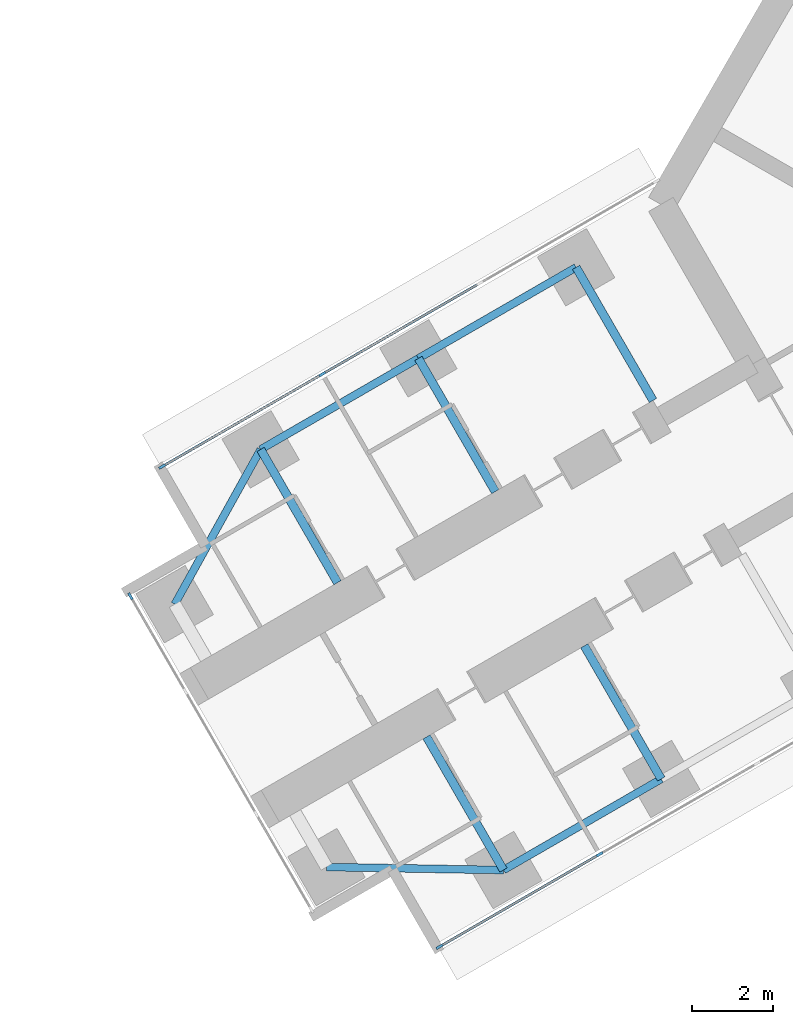
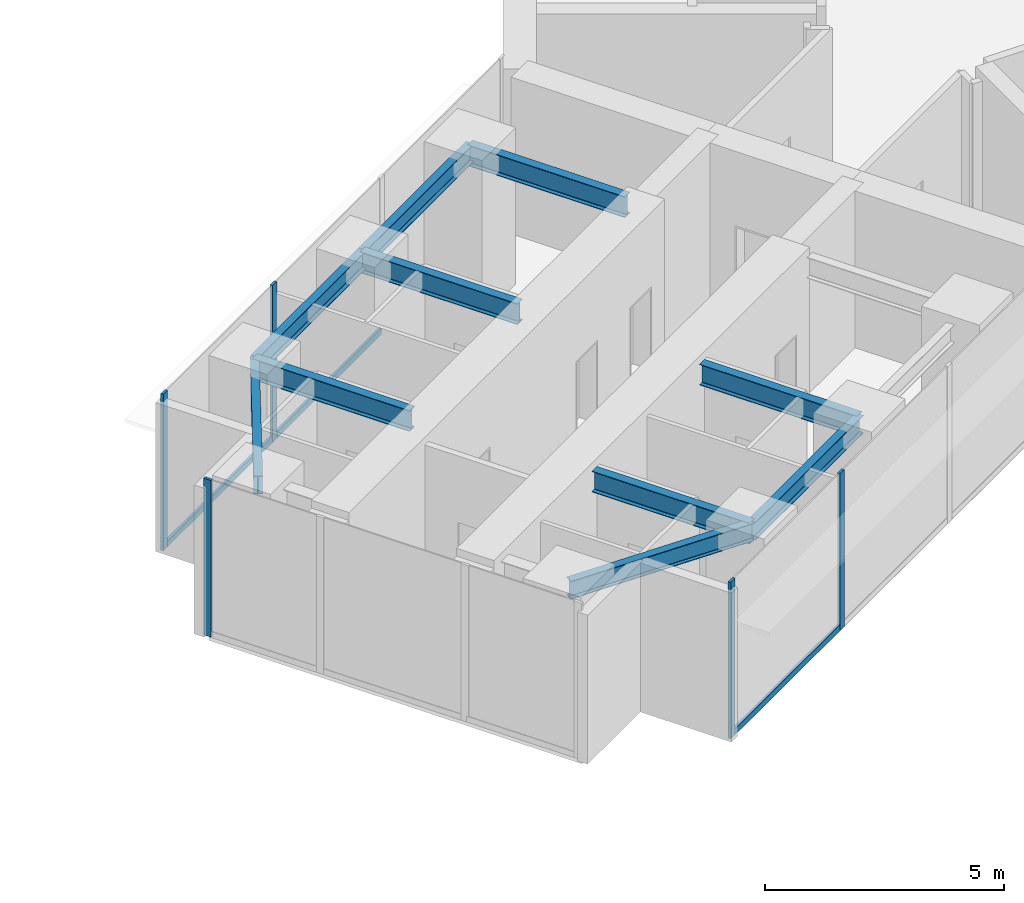
# One storey, part 4 of 25: 10 beams, 8 members, 3 elements without a shape of their own.
"""IFC4 building model written with IfcOpenShell, lengths in metres."""

from ifc_helpers import new_model, si_unit, direction, frame, origin, origin_2d, place, context, subcontext, project, spatial, rectangle, i_section, extrude, material, material_profile, profile_set, type_object, element, aggregate, save


model = new_model("IFC4")

# Units and contexts
model_context = context("Model", 3, precision=1e-05, world=origin(), true_north=direction((0.0, 1.0)))
body_context = subcontext(model_context, "Body", "Model", "MODEL_VIEW")
ifc_project = project(units=[si_unit("LENGTHUNIT", "METRE"), si_unit("AREAUNIT", "SQUARE_METRE"), si_unit("VOLUMEUNIT", "CUBIC_METRE"), si_unit("PLANEANGLEUNIT", "RADIAN"), si_unit("MASSUNIT", "GRAM", prefix="KILO")], contexts=[model_context])

# Site, building, storey
site_placement = place(None, origin())
site = spatial("IfcSite", under=ifc_project, at=site_placement, CompositionType="ELEMENT")
building_placement = place(site_placement, origin())
building = spatial("IfcBuilding", under=site, at=building_placement, Name="Upepo Twin Towers", CompositionType="ELEMENT")
storey_placement = place(building_placement, frame((0.0, 0.0, 80.5)))
storey = spatial("IfcBuildingStorey", under=building, at=storey_placement, Name="L19", CompositionType="ELEMENT", Elevation=80.5)

# Beams
ifc_material_1 = material(Name="Steel S355", Category="steel")
ifc_material_profile_1 = material_profile(ifc_material_1, i_section(OverallWidth=0.1904296875, OverallDepth=0.45703125, WebThickness=0.009033203125, FlangeThickness=0.014404296875, FilletRadius=0.01025390625, at=origin_2d()), Name="UB 457x191x74")
ifc_profile_set_1 = profile_set([ifc_material_profile_1], Name="Steel S355")
beam_type_1 = type_object("IfcBeamType", Name="Beam UB 457x191x74", PredefinedType="BEAM", material=ifc_profile_set_1)
beam_1_placement = place(storey_placement, frame((45.91162109375, -32.196044921875, 3.571533203125), z_axis=(-0.866031096941, -0.499990139034, 0.0), x_axis=(0.499990139034, -0.866031096941, 0.0)))
element("IfcBeam", 1, at=beam_1_placement, inside=storey, type_object=beam_type_1, Name="T2 edge beam BL 18.0-22.5", PredefinedType="BEAM", context=body_context, shape_type="SweptSolid", body=[
    extrude(i_section(OverallWidth=0.1904296875, OverallDepth=0.45703125, WebThickness=0.009033203125, FlangeThickness=0.014404296875, FilletRadius=0.01025390625, at=origin_2d()), origin(), (0.0, 0.0, 1.0), 4.5),
])
beam_2_placement = place(storey_placement, frame((42.014404296875, -34.446044921875, 3.571533203125), z_axis=(-0.999858804832, 0.016803880528, 0.0), x_axis=(-0.016803880528, -0.999858804832, 0.0)))
element("IfcBeam", 2, at=beam_2_placement, inside=storey, type_object=beam_type_1, Name="T2 nose edge beam BL", PredefinedType="BEAM", context=body_context, shape_type="SweptSolid", body=[
    extrude(i_section(OverallWidth=0.1904296875, OverallDepth=0.45703125, WebThickness=0.009033203125, FlangeThickness=0.014404296875, FilletRadius=0.01025390625, at=origin_2d()), origin(), (0.0, 0.0, 1.0), 4.373291015625),
])
beam_3_placement = place(storey_placement, frame((43.80859375, -19.553955078125, 3.571533203125), z_axis=(-0.866017533419, -0.500013631625, 0.0), x_axis=(0.500013631625, -0.866017533419, 0.0)))
element("IfcBeam", 3, at=beam_3_placement, inside=storey, type_object=beam_type_1, Name="T2 edge beam BR 13.5-18.0", PredefinedType="BEAM", context=body_context, shape_type="SweptSolid", body=[
    extrude(i_section(OverallWidth=0.1904296875, OverallDepth=0.45703125, WebThickness=0.009033203125, FlangeThickness=0.014404296875, FilletRadius=0.01025390625, at=origin_2d()), origin(), (0.0, 0.0, 1.0), 4.499755859375),
])
beam_4_placement = place(storey_placement, frame((39.91162109375, -21.803955078125, 3.571533203125), z_axis=(-0.866031096941, -0.499990139034, 0.0), x_axis=(0.499990139034, -0.866031096941, 0.0)))
element("IfcBeam", 4, at=beam_4_placement, inside=storey, type_object=beam_type_1, Name="T2 edge beam BR 18.0-22.5", PredefinedType="BEAM", context=body_context, shape_type="SweptSolid", body=[
    extrude(i_section(OverallWidth=0.1904296875, OverallDepth=0.45703125, WebThickness=0.009033203125, FlangeThickness=0.014404296875, FilletRadius=0.01025390625, at=origin_2d()), origin(), (0.0, 0.0, 1.0), 4.5),
])
beam_5_placement = place(storey_placement, frame((36.014404296875, -24.053955078125, 3.571533203125), z_axis=(-0.485363242752, -0.874312600038, 0.0), x_axis=(0.874312600038, -0.485363242752, 0.0)))
element("IfcBeam", 5, at=beam_5_placement, inside=storey, type_object=beam_type_1, Name="T2 nose edge beam BR", PredefinedType="BEAM", context=body_context, shape_type="SweptSolid", body=[
    extrude(i_section(OverallWidth=0.1904296875, OverallDepth=0.45703125, WebThickness=0.009033203125, FlangeThickness=0.014404296875, FilletRadius=0.01025390625, at=origin_2d()), origin(), (0.0, 0.0, 1.0), 4.373046875),
])
ifc_material_2 = material(Name="Steel S355", Category="steel")
ifc_material_profile_2 = material_profile(ifc_material_2, i_section(OverallWidth=0.209228515625, OverallDepth=0.533203125, WebThickness=0.010009765625, FlangeThickness=0.015625, FilletRadius=0.0126953125, at=origin_2d()), Name="UB 533x210x92")
ifc_profile_set_2 = profile_set([ifc_material_profile_2], Name="Steel S355")
beam_type_2 = type_object("IfcBeamType", Name="Beam UB 533x210x92", PredefinedType="BEAM", material=ifc_profile_set_2)
beam_6_placement = place(storey_placement, frame((45.91162109375, -32.196044921875, 3.533447265625), z_axis=(-0.500043160704, 0.866000483506, 0.0), x_axis=(-0.866000483506, -0.500043160704, 0.0)))
element("IfcBeam", 6, at=beam_6_placement, inside=storey, type_object=beam_type_2, Name="T2 girder BL at 18.0", PredefinedType="BEAM", context=body_context, shape_type="SweptSolid", body=[
    extrude(i_section(OverallWidth=0.209228515625, OverallDepth=0.533203125, WebThickness=0.010009765625, FlangeThickness=0.015625, FilletRadius=0.0126953125, at=origin_2d()), origin(), (0.0, 0.0, 1.0), 3.800048828125),
])
beam_7_placement = place(storey_placement, frame((42.014404296875, -34.446044921875, 3.533447265625), z_axis=(-0.499994975061, 0.866028304915, 0.0), x_axis=(-0.866028304915, -0.499994975061, 0.0)))
element("IfcBeam", 7, at=beam_7_placement, inside=storey, type_object=beam_type_2, Name="T2 girder BL at 22.5", PredefinedType="BEAM", context=body_context, shape_type="SweptSolid", body=[
    extrude(i_section(OverallWidth=0.209228515625, OverallDepth=0.533203125, WebThickness=0.010009765625, FlangeThickness=0.015625, FilletRadius=0.0126953125, at=origin_2d()), origin(), (0.0, 0.0, 1.0), 3.7998046875),
])
beam_8_placement = place(storey_placement, frame((43.80859375, -19.553955078125, 3.533447265625), z_axis=(0.500043160704, -0.866000483506, 0.0), x_axis=(0.866000483506, 0.500043160704, 0.0)))
element("IfcBeam", 8, at=beam_8_placement, inside=storey, type_object=beam_type_2, Name="T2 girder BR at 13.5", PredefinedType="BEAM", context=body_context, shape_type="SweptSolid", body=[
    extrude(i_section(OverallWidth=0.209228515625, OverallDepth=0.533203125, WebThickness=0.010009765625, FlangeThickness=0.015625, FilletRadius=0.0126953125, at=origin_2d()), origin(), (0.0, 0.0, 1.0), 3.800048828125),
])
for number, where, z_axis, x_axis, name in (
    (9, (39.91162109375, -21.803955078125, 3.533447265625), (0.499994975061, -0.866028304915, 0.0), (0.866028304915, 0.499994975061, 0.0), "T2 girder BR at 18.0"),
    (10, (36.014404296875, -24.053955078125, 3.533447265625), (0.499994975061, -0.866028304915, 0.0), (0.866028304915, 0.499994975061, 0.0), "T2 girder BR at 22.5"),
):
    element("IfcBeam", number, at=place(storey_placement, frame(where, z_axis=z_axis, x_axis=x_axis)), inside=storey, type_object=beam_type_2, Name=name, PredefinedType="BEAM", context=body_context, shape_type="SweptSolid", body=[
        extrude(i_section(OverallWidth=0.209228515625, OverallDepth=0.533203125, WebThickness=0.010009765625, FlangeThickness=0.015625, FilletRadius=0.0126953125, at=origin_2d()), origin(), (0.0, 0.0, 1.0), 3.7998046875),
    ])

# Curtain wall, members
ifc_material_3 = material(Name="Aluminium and fritted glass", Category="aluminium")
curtain_wall_type = type_object("IfcCurtainWallType", Name="Tower curtain wall TW1, fritted glass", PredefinedType="NOTDEFINED", material=ifc_material_3)
curtain_wall_1_placement = place(storey_placement, origin())
curtain_wall_1 = element("IfcCurtainWall", 11, at=curtain_wall_1_placement, inside=storey, type_object=curtain_wall_type, Name="T2 L19 wing B flank L curtain wall", PredefinedType="NOTDEFINED")
ifc_material_4 = material(Name="Aluminium mullion", Category="aluminium")
ifc_material_profile_3 = material_profile(ifc_material_4, rectangle(XDim=0.06494140625, YDim=0.179931640625, at=origin_2d()), Name="MULLION 65x180")
ifc_profile_set_3 = profile_set([ifc_material_profile_3], Name="Aluminium mullion")
member_type_1 = type_object("IfcMemberType", Name="Mullion 65x180 TW1", PredefinedType="MULLION", material=ifc_profile_set_3)
member_1_placement = place(storey_placement, frame((44.387939453125, -34.057373046875, 0.0), z_axis=(0.0, 0.0, 1.0), x_axis=(0.500000024426, -0.866025389682, 0.0)))
member_1 = element("IfcMember", 12, at=member_1_placement, type_object=member_type_1, Name="T2 L19 wing B flank L curtain wall mullion 3", PredefinedType="MULLION", context=body_context, shape_type="SweptSolid", body=[
    extrude(rectangle(XDim=0.06494140625, YDim=0.179931640625, at=origin_2d()), origin(), (0.0, 0.0, 1.0), 4.0),
])
member_2_placement = place(storey_placement, frame((40.432373046875, -36.341064453125, 0.0), z_axis=(0.0, 0.0, 1.0), x_axis=(0.500000024426, -0.866025389682, 0.0)))
member_2 = element("IfcMember", 13, at=member_2_placement, type_object=member_type_1, Name="T2 L19 wing B flank L curtain wall mullion 4", PredefinedType="MULLION", context=body_context, shape_type="SweptSolid", body=[
    extrude(rectangle(XDim=0.06494140625, YDim=0.179931640625, at=origin_2d()), origin(), (0.0, 0.0, 1.0), 4.0),
])

curtain_wall_2_placement = place(storey_placement, origin())
curtain_wall_2 = element("IfcCurtainWall", 14, at=curtain_wall_2_placement, inside=storey, type_object=curtain_wall_type, Name="T2 L19 wing B flank R curtain wall", PredefinedType="NOTDEFINED")
member_3_placement = place(storey_placement, frame((33.58251953125, -24.4765625, 0.0), z_axis=(0.0, 0.0, 1.0), x_axis=(-0.500000024426, 0.866025389682, 0.0)))
member_3 = element("IfcMember", 15, at=member_3_placement, type_object=member_type_1, Name="T2 L19 wing B flank R curtain wall mullion 1", PredefinedType="MULLION", context=body_context, shape_type="SweptSolid", body=[
    extrude(rectangle(XDim=0.06494140625, YDim=0.179931640625, at=origin_2d()), origin(), (0.0, 0.0, 1.0), 4.0),
])
member_4_placement = place(storey_placement, frame((37.5380859375, -22.192626953125, 0.0), z_axis=(0.0, 0.0, 1.0), x_axis=(-0.500000024426, 0.866025389682, 0.0)))
member_4 = element("IfcMember", 16, at=member_4_placement, type_object=member_type_1, Name="T2 L19 wing B flank R curtain wall mullion 2", PredefinedType="MULLION", context=body_context, shape_type="SweptSolid", body=[
    extrude(rectangle(XDim=0.06494140625, YDim=0.179931640625, at=origin_2d()), origin(), (0.0, 0.0, 1.0), 4.0),
])

# Curtain wall, member
curtain_wall_3_placement = place(storey_placement, origin())
curtain_wall_3 = element("IfcCurtainWall", 17, at=curtain_wall_3_placement, inside=storey, type_object=curtain_wall_type, Name="T2 L19 wing B nose curtain wall", PredefinedType="NOTDEFINED")
member_5_placement = place(storey_placement, frame((32.796875, -27.68115234375, 0.0), z_axis=(0.0, 0.0, 1.0), x_axis=(0.866025386174, 0.500000030502, 0.0)))
member_5 = element("IfcMember", 18, at=member_5_placement, type_object=member_type_1, Name="T2 L19 wing B nose curtain wall mullion 1", PredefinedType="MULLION", context=body_context, shape_type="SweptSolid", body=[
    extrude(rectangle(XDim=0.06494140625, YDim=0.179931640625, at=origin_2d()), origin(), (0.0, 0.0, 1.0), 4.0),
])
aggregate(curtain_wall_3, [member_5])

# Member
ifc_material_5 = material(Name="Aluminium transom", Category="aluminium")
ifc_material_profile_4 = material_profile(ifc_material_5, rectangle(XDim=0.06494140625, YDim=0.14990234375, at=origin_2d()), Name="TRANSOM 65x150")
ifc_profile_set_4 = profile_set([ifc_material_profile_4], Name="Aluminium transom")
member_type_2 = type_object("IfcMemberType", Name="Transom 65x150 TW1", PredefinedType="USERDEFINED", material=ifc_profile_set_4)
member_6_placement = place(storey_placement, frame((44.35986328125, -34.073486328125, 0.074951171875), z_axis=(-0.866035699072, -0.499982167615, 0.0), x_axis=(0.499982167615, -0.866035699072, 0.0)))
member_6 = element("IfcMember", 19, at=member_6_placement, type_object=member_type_2, Name="T2 L19 wing B flank L curtain wall transom 3", ObjectType="TRANSOM", PredefinedType="USERDEFINED", context=body_context, shape_type="SweptSolid", body=[
    extrude(rectangle(XDim=0.06494140625, YDim=0.14990234375, at=origin_2d()), origin(), (0.0, 0.0, 1.0), 4.502685546875),
])

aggregate(curtain_wall_1, [member_1, member_2, member_6])

member_7_placement = place(storey_placement, frame((33.610595703125, -24.460205078125, 0.074951171875), z_axis=(0.866022143554, 0.500005646842, 0.0), x_axis=(-0.500005646842, 0.866022143554, 0.0)))
member_7 = element("IfcMember", 20, at=member_7_placement, type_object=member_type_2, Name="T2 L19 wing B flank R curtain wall transom 1", ObjectType="TRANSOM", PredefinedType="USERDEFINED", context=body_context, shape_type="SweptSolid", body=[
    extrude(rectangle(XDim=0.06494140625, YDim=0.14990234375, at=origin_2d()), origin(), (0.0, 0.0, 1.0), 4.50244140625),
])

member_8_placement = place(storey_placement, frame((37.566162109375, -22.176513671875, 0.074951171875), z_axis=(0.866022410713, 0.500005184116, 0.0), x_axis=(-0.500005184116, 0.866022410713, 0.0)))
member_8 = element("IfcMember", 21, at=member_8_placement, type_object=member_type_2, Name="T2 L19 wing B flank R curtain wall transom 2", ObjectType="TRANSOM", PredefinedType="USERDEFINED", context=body_context, shape_type="SweptSolid", body=[
    extrude(rectangle(XDim=0.06494140625, YDim=0.14990234375, at=origin_2d()), origin(), (0.0, 0.0, 1.0), 4.43505859375),
])

aggregate(curtain_wall_2, [member_3, member_4, member_7, member_8])

save(model, "model.ifc")
